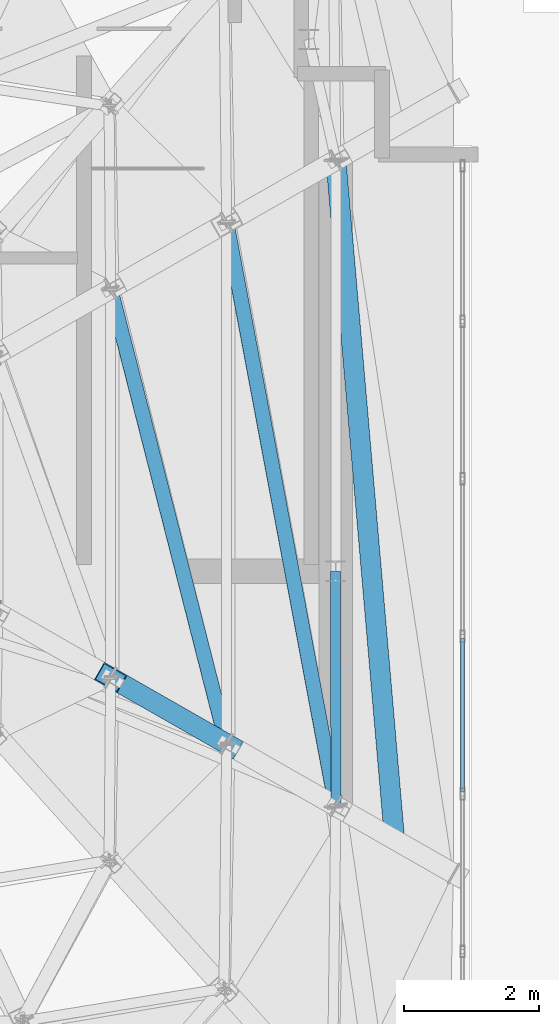
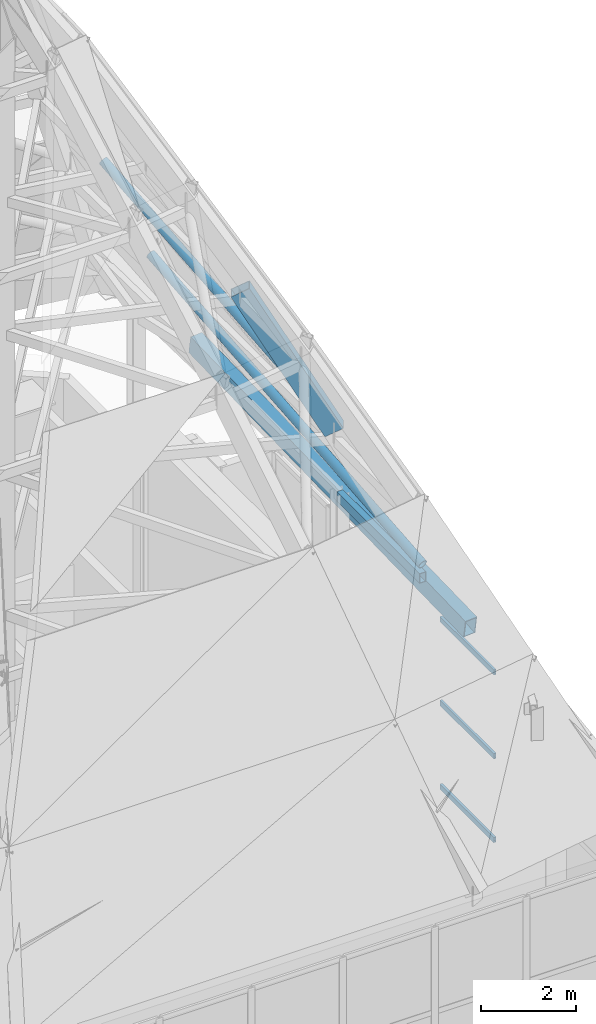
# One storey, part 10 of 30: 8 members, 1 element without a shape of its own.
"""IFC4 building model written with IfcOpenShell, lengths in metres."""

from ifc_helpers import new_model, si_unit, direction, frame, origin, origin_2d, place, context, subcontext, project, spatial, hollow_rectangle, hollow_circle, extrude, material, layer, layer_set, material_profile, profile_set, type_object, element, aggregate, save


model = new_model("IFC4")

# Units and contexts
model_context = context("Model", 3, precision=1e-05, world=origin(), true_north=direction((0.0, 1.0)))
body_context = subcontext(model_context, "Body", "Model", "MODEL_VIEW")
ifc_project = project(units=[si_unit("LENGTHUNIT", "METRE"), si_unit("AREAUNIT", "SQUARE_METRE"), si_unit("VOLUMEUNIT", "CUBIC_METRE"), si_unit("PLANEANGLEUNIT", "RADIAN"), si_unit("MASSUNIT", "GRAM", prefix="KILO")], contexts=[model_context])

# Site, building, storey
site_placement = place(None, origin())
site = spatial("IfcSite", under=ifc_project, at=site_placement, CompositionType="ELEMENT")
building_placement = place(site_placement, origin())
building = spatial("IfcBuilding", under=site, at=building_placement, Name="Haolan Belvedere Tower", CompositionType="ELEMENT")
storey_placement = place(building_placement, frame((0.0, 0.0, 333.0)))
storey = spatial("IfcBuildingStorey", under=building, at=storey_placement, Name="L83", CompositionType="ELEMENT", Elevation=333.0)

# Curtain wall, members
ifc_material_1 = material(Name="Anodised champagne-silver aluminium 6063-T6 and Low-E glass", Category="aluminium")
ifc_layer = layer(ifc_material_1, 0.172119140625, Name="Anodised champagne-silver aluminium 6063-T6 and Low-E glass")
ifc_layer_set = layer_set([ifc_layer], Name="Anodised champagne-silver aluminium 6063-T6 and Low-E glass")
curtain_wall_type = type_object("IfcCurtainWallType", Name="CW-SYS-07", PredefinedType="NOTDEFINED", material=ifc_layer_set)
curtain_wall_placement = place(storey_placement, origin())
curtain_wall = element("IfcCurtainWall", 1, at=curtain_wall_placement, inside=storey, type_object=curtain_wall_type, Name="L83 CW-SYS-07 ribbon curtain wall 4.1", PredefinedType="NOTDEFINED")
ifc_material_2 = material(Name="Anodised aluminium 6063-T6", Category="aluminium")
ifc_material_profile_1 = material_profile(ifc_material_2, hollow_rectangle(XDim=0.05810546875, YDim=0.135009765625, WallThickness=0.00390625, at=origin_2d()), Name="Anodised aluminium 6063-T6")
ifc_profile_set_1 = profile_set([ifc_material_profile_1], Name="Anodised aluminium 6063-T6")
member_type_1 = type_object("IfcMemberType", Name="CW-SYS-07-TRN", PredefinedType="USERDEFINED", material=ifc_profile_set_1)
member_1_placement = place(storey_placement, frame((48.68994140625, 32.009033203125, 0.029052734375), z_axis=(0.0, 1.0, 0.0), x_axis=(-1.0, 0.0, 0.0)))
member_1 = element("IfcMember", 2, at=member_1_placement, type_object=member_type_1, Name="CW-07 transom 4.1", ObjectType="TRANSOM", PredefinedType="USERDEFINED", context=body_context, shape_type="SweptSolid", body=[
    extrude(hollow_rectangle(XDim=0.05810546875, YDim=0.135009765625, WallThickness=0.00390625, at=origin_2d()), origin(), (0.0, 0.0, 1.0), 2.281005859375),
])
member_2_placement = place(storey_placement, frame((48.68994140625, 32.009033203125, 2.18994140625), z_axis=(0.0, 1.0, 0.0), x_axis=(-1.0, 0.0, 0.0)))
member_2 = element("IfcMember", 3, at=member_2_placement, type_object=member_type_1, Name="CW-07 transom 4.2", ObjectType="TRANSOM", PredefinedType="USERDEFINED", context=body_context, shape_type="SweptSolid", body=[
    extrude(hollow_rectangle(XDim=0.05810546875, YDim=0.135009765625, WallThickness=0.00390625, at=origin_2d()), origin(), (0.0, 0.0, 1.0), 2.281005859375),
])
member_3_placement = place(storey_placement, frame((48.68994140625, 32.009033203125, 4.35107421875), z_axis=(0.0, 1.0, 0.0), x_axis=(-1.0, 0.0, 0.0)))
member_3 = element("IfcMember", 4, at=member_3_placement, type_object=member_type_1, Name="CW-07 transom 4.3", ObjectType="TRANSOM", PredefinedType="USERDEFINED", context=body_context, shape_type="SweptSolid", body=[
    extrude(hollow_rectangle(XDim=0.05810546875, YDim=0.135009765625, WallThickness=0.00390625, at=origin_2d()), origin(), (0.0, 0.0, 1.0), 2.281005859375),
])
aggregate(curtain_wall, [member_1, member_2, member_3])

# Members
ifc_material_3 = material(Name="Steel Q355B", Category="steel")
ifc_material_profile_2 = material_profile(ifc_material_3, hollow_rectangle(XDim=0.300048828125, YDim=0.449951171875, WallThickness=0.01611328125, at=origin_2d()), Name="Steel Q355B")
ifc_profile_set_2 = profile_set([ifc_material_profile_2], Name="Steel Q355B")
member_type_2 = type_object("IfcMemberType", Name="MEM-BOX450x300x16", PredefinedType="RAFTER", material=ifc_profile_set_2)
member_4_placement = place(storey_placement, frame((47.67724609375, 31.298583984375, 6.302001953125), z_axis=(-0.085108328287, 0.985256860001, 0.148409879313), x_axis=(-0.996289837001, -0.086061377453, 0.0)))
element("IfcMember", 5, at=member_4_placement, inside=storey, type_object=member_type_2, Name="Crown frame Tier-1 diagonal hip rafter 05", PredefinedType="RAFTER", context=body_context, shape_type="SweptSolid", body=[
    extrude(hollow_rectangle(XDim=0.300048828125, YDim=0.449951171875, WallThickness=0.01611328125, at=origin_2d()), origin(), (0.0, 0.0, 1.0), 10.255126953125),
])
member_5_placement = place(storey_placement, frame((45.180419921875, 32.7255859375, 11.430419921875), z_axis=(-0.418602486476, 0.239150656535, 0.876115815286), x_axis=(-0.496059557682, -0.868288497697, 0.0)))
element("IfcMember", 6, at=member_5_placement, inside=storey, type_object=member_type_2, Name="Crown frame sloped hip rafter T3-05", PredefinedType="RAFTER", context=body_context, shape_type="SweptSolid", body=[
    extrude(hollow_rectangle(XDim=0.300048828125, YDim=0.449951171875, WallThickness=0.01611328125, at=origin_2d()), origin(), (0.0, 0.0, 1.0), 4.122314453125),
])
ifc_material_profile_3 = material_profile(ifc_material_3, hollow_circle(Radius=0.109619140625, WallThickness=0.010009765625, at=origin_2d()), Name="Steel Q355B")
ifc_profile_set_3 = profile_set([ifc_material_profile_3], Name="Steel Q355B")
member_type_3 = type_object("IfcMemberType", Name="MEM-CHS219x10", PredefinedType="STRUT", material=ifc_profile_set_3)
member_6_placement = place(storey_placement, frame((46.804443359375, 31.797607421875, 7.924072265625), z_axis=(-0.172281625364, 0.920484252413, 0.350753164808), x_axis=(-0.982931935377, -0.183969591011, 0.0)))
element("IfcMember", 7, at=member_6_placement, inside=storey, type_object=member_type_3, Name="Crown frame wind brace strut T2-05", PredefinedType="STRUT", context=body_context, shape_type="SweptSolid", body=[
    extrude(hollow_circle(Radius=0.109619140625, WallThickness=0.010009765625, at=origin_2d()), origin(), (0.0, 0.0, 1.0), 9.426513671875),
])
member_7_placement = place(storey_placement, frame((45.180419921875, 32.7255859375, 11.530517578125), z_axis=(-0.223366416279, 0.875420641955, 0.428656206905), x_axis=(-0.968956230892, -0.247232325185, 0.0)))
element("IfcMember", 8, at=member_7_placement, inside=storey, type_object=member_type_3, Name="Crown frame wind brace strut T3-05", PredefinedType="STRUT", context=body_context, shape_type="SweptSolid", body=[
    extrude(hollow_circle(Radius=0.109619140625, WallThickness=0.010009765625, at=origin_2d()), origin(), (0.0, 0.0, 1.0), 7.725341796875),
])
ifc_material_profile_4 = material_profile(ifc_material_3, hollow_rectangle(XDim=0.14990234375, YDim=0.25, WallThickness=0.010009765625, at=origin_2d()), Name="Steel Q355B")
ifc_profile_set_4 = profile_set([ifc_material_profile_4], Name="Steel Q355B")
member_type_4 = type_object("IfcMemberType", Name="MEM-RHS250x150x10", PredefinedType="PURLIN", material=ifc_profile_set_4)
member_8_placement = place(storey_placement, frame((46.800048828125, 35.2900390625, 7.583984375), z_axis=(0.001258300297, -0.99999920834, 0.0), x_axis=(0.99999920834, 0.001258300297, 0.0)))
element("IfcMember", 9, at=member_8_placement, inside=storey, type_object=member_type_4, Name="Crown Tier-1 post-to-ring chord 05", PredefinedType="STRUT", context=body_context, shape_type="SweptSolid", body=[
    extrude(hollow_rectangle(XDim=0.14990234375, YDim=0.25, WallThickness=0.010009765625, at=origin_2d()), origin(), (0.0, 0.0, 1.0), 3.492431640625),
])

save(model, "model.ifc")
